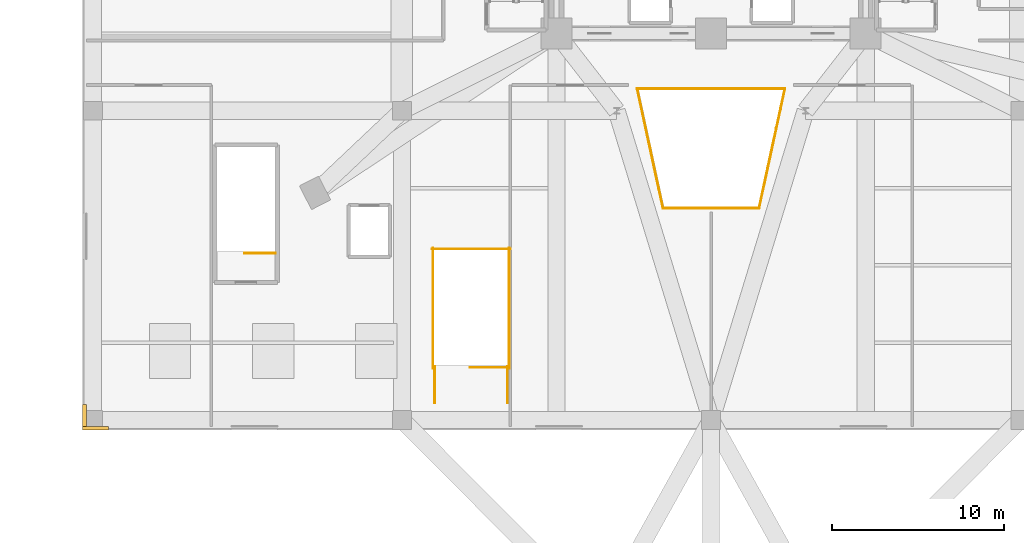
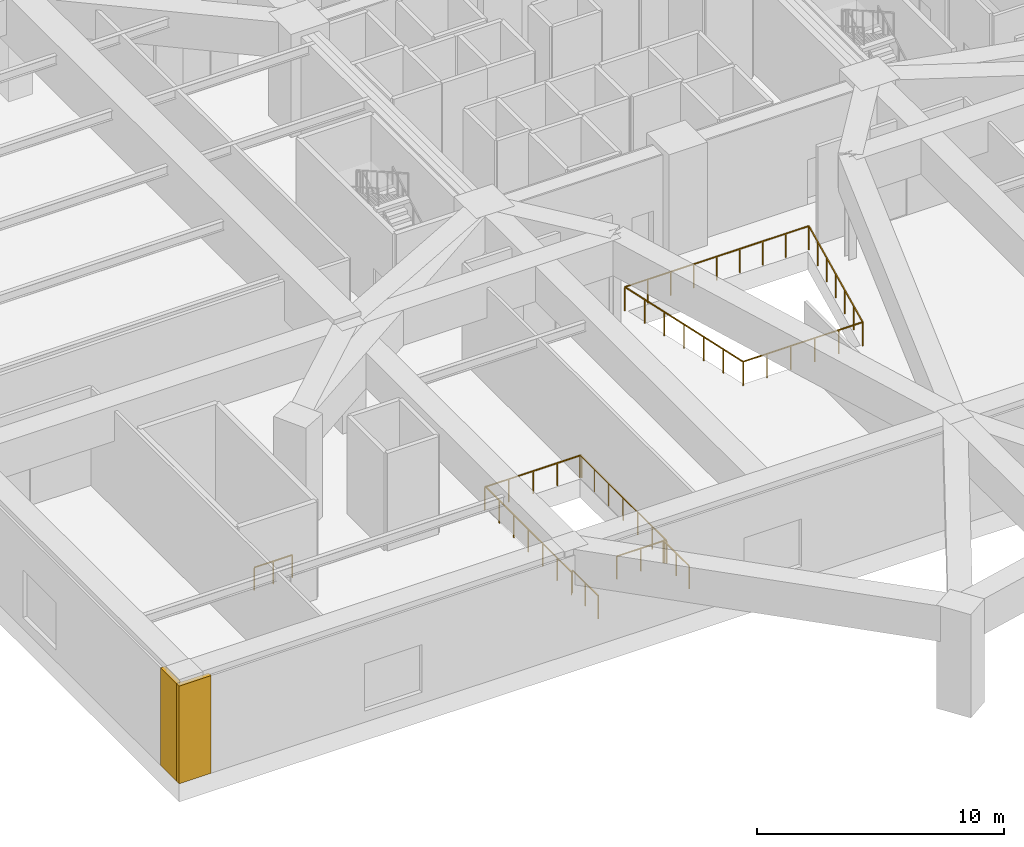
# One storey, part 10 of 14: 11 railings, 2 coverings.
"""IFC4 building model written with IfcOpenShell, lengths in metres."""

from ifc_helpers import new_model, si_unit, direction, frame, origin, origin_2d, place, context, subcontext, project, spatial, rectangle, extrude, source, transform, mapped, material, layer, layer_set, type_object, element, save


model = new_model("IFC4")

# Units and contexts
model_context = context("Model", 3, precision=1e-05, world=origin(), true_north=direction((0.0, 1.0)))
body_context = subcontext(model_context, "Body", "Model", "MODEL_VIEW")
ifc_project = project(units=[si_unit("LENGTHUNIT", "METRE"), si_unit("AREAUNIT", "SQUARE_METRE"), si_unit("VOLUMEUNIT", "CUBIC_METRE"), si_unit("PLANEANGLEUNIT", "RADIAN"), si_unit("MASSUNIT", "GRAM", prefix="KILO")], contexts=[model_context])

# Site, building, storey
site_placement = place(None, origin())
site = spatial("IfcSite", under=ifc_project, at=site_placement, CompositionType="ELEMENT")
building_placement = place(site_placement, origin())
building = spatial("IfcBuilding", under=site, at=building_placement, Name="Liaohun Quay Tower", CompositionType="ELEMENT")
storey_placement = place(building_placement, frame((0.0, 0.0, 23.39990234375)))
storey = spatial("IfcBuildingStorey", under=building, at=storey_placement, Name="L06", CompositionType="ELEMENT", Elevation=23.39990234375)

# Railings
ifc_material_1 = material(Name="Laminated safety glass and stainless steel", Category="steel")
railing_type_1 = type_object("IfcRailingType", Name="RLG-GUARD-ATR", PredefinedType="BALUSTRADE", material=ifc_material_1)
railing_1_placement = place(storey_placement, frame((48.199951171875, 27.050048828125, 0.0)))
element("IfcRailing", 1, at=railing_1_placement, inside=storey, type_object=railing_type_1, Name="L06 ST-A top well guard 1", PredefinedType="BALUSTRADE", context=body_context, shape_type="SweptSolid", body=[
    extrude(rectangle(XDim=0.048095703125, YDim=0.048095703125, at=origin_2d()), frame((0.0, 0.0, 1.1259765625), z_axis=(-1.0, 0.0, 0.0), x_axis=(0.0, -1.0, 0.0)), (0.0, 0.0, 1.0), 2.239990234375),
    extrude(rectangle(XDim=0.0419921875, YDim=0.0419921875, at=origin_2d()), origin(), (0.0, 0.0, 1.0), 1.101806640625),
    extrude(rectangle(XDim=0.0419921875, YDim=0.0419921875, at=origin_2d()), frame((-1.1201171875, 0.0, 0.0)), (0.0, 0.0, 1.0), 1.101806640625),
    extrude(rectangle(XDim=0.0419921875, YDim=0.0419921875, at=origin_2d()), frame((-2.239990234375, 0.0, 0.0)), (0.0, 0.0, 1.0), 1.101806640625),
])
for number, where, name in (
    (2, (48.25, 27.0, 0.0), "L06 ST-A top well guard 2"),
    (3, (43.81005859375, 27.0, 0.0), "L06 ST-A top well guard 3"),
):
    element("IfcRailing", number, at=place(storey_placement, frame(where)), inside=storey, type_object=railing_type_1, Name=name, PredefinedType="BALUSTRADE", context=body_context, shape_type="SweptSolid", body=[
        extrude(rectangle(XDim=0.048095703125, YDim=0.048095703125, at=origin_2d()), frame((0.0, 0.0, 1.1259765625), z_axis=(0.0, 1.0, 0.0), x_axis=(-1.0, 0.0, 0.0)), (0.0, 0.0, 1.0), 7.0),
        extrude(rectangle(XDim=0.0419921875, YDim=0.0419921875, at=origin_2d()), origin(), (0.0, 0.0, 1.0), 1.101806640625),
        extrude(rectangle(XDim=0.0419921875, YDim=0.0419921875, at=origin_2d()), frame((0.0, 1.166748046875, 0.0)), (0.0, 0.0, 1.0), 1.101806640625),
        extrude(rectangle(XDim=0.0419921875, YDim=0.0419921875, at=origin_2d()), frame((0.0, 2.333251953125, 0.0)), (0.0, 0.0, 1.0), 1.101806640625),
        extrude(rectangle(XDim=0.0419921875, YDim=0.0419921875, at=origin_2d()), frame((0.0, 3.5, 0.0)), (0.0, 0.0, 1.0), 1.101806640625),
        extrude(rectangle(XDim=0.0419921875, YDim=0.0419921875, at=origin_2d()), frame((0.0, 4.666748046875, 0.0)), (0.0, 0.0, 1.0), 1.101806640625),
        extrude(rectangle(XDim=0.0419921875, YDim=0.0419921875, at=origin_2d()), frame((0.0, 5.833251953125, 0.0)), (0.0, 0.0, 1.0), 1.101806640625),
        extrude(rectangle(XDim=0.0419921875, YDim=0.0419921875, at=origin_2d()), frame((0.0, 7.0, 0.0)), (0.0, 0.0, 1.0), 1.101806640625),
    ])
railing_2_placement = place(storey_placement, frame((48.300048828125, 33.949951171875, 0.0)))
element("IfcRailing", 4, at=railing_2_placement, inside=storey, type_object=railing_type_1, Name="L06 ST-A top well guard 4", PredefinedType="BALUSTRADE", context=body_context, shape_type="SweptSolid", body=[
    extrude(rectangle(XDim=0.048095703125, YDim=0.048095703125, at=origin_2d()), frame((0.0, 0.0, 1.1259765625), z_axis=(-1.0, 0.0, 0.0), x_axis=(0.0, -1.0, 0.0)), (0.0, 0.0, 1.0), 4.5400390625),
    extrude(rectangle(XDim=0.0419921875, YDim=0.0419921875, at=origin_2d()), origin(), (0.0, 0.0, 1.0), 1.101806640625),
    extrude(rectangle(XDim=0.0419921875, YDim=0.0419921875, at=origin_2d()), frame((-1.135009765625, 0.0, 0.0)), (0.0, 0.0, 1.0), 1.101806640625),
    extrude(rectangle(XDim=0.0419921875, YDim=0.0419921875, at=origin_2d()), frame((-2.27001953125, 0.0, 0.0)), (0.0, 0.0, 1.0), 1.101806640625),
    extrude(rectangle(XDim=0.0419921875, YDim=0.0419921875, at=origin_2d()), frame((-3.405029296875, 0.0, 0.0)), (0.0, 0.0, 1.0), 1.101806640625),
    extrude(rectangle(XDim=0.0419921875, YDim=0.0419921875, at=origin_2d()), frame((-4.5400390625, 0.0, 0.0)), (0.0, 0.0, 1.0), 1.101806640625),
])
for number, where, name in (
    (5, (48.14990234375, 25.0, 0.0), "L06 ST-A top well guard 5"),
    (6, (43.909912109375, 25.0, 0.0), "L06 ST-A top well guard 6"),
):
    element("IfcRailing", number, at=place(storey_placement, frame(where)), inside=storey, type_object=railing_type_1, Name=name, PredefinedType="BALUSTRADE", context=body_context, shape_type="SweptSolid", body=[
        extrude(rectangle(XDim=0.048095703125, YDim=0.048095703125, at=origin_2d()), frame((0.0, 0.0, 1.1259765625), z_axis=(0.0, 1.0, 0.0), x_axis=(-1.0, 0.0, 0.0)), (0.0, 0.0, 1.0), 2.10009765625),
        extrude(rectangle(XDim=0.0419921875, YDim=0.0419921875, at=origin_2d()), origin(), (0.0, 0.0, 1.0), 1.101806640625),
        extrude(rectangle(XDim=0.0419921875, YDim=0.0419921875, at=origin_2d()), frame((0.0, 1.050048828125, 0.0)), (0.0, 0.0, 1.0), 1.101806640625),
        extrude(rectangle(XDim=0.0419921875, YDim=0.0419921875, at=origin_2d()), frame((0.0, 2.10009765625, 0.0)), (0.0, 0.0, 1.0), 1.101806640625),
    ])
railing_3_placement = place(storey_placement, frame((57.205078125, 36.320068359375, 0.0)))
element("IfcRailing", 7, at=railing_3_placement, inside=storey, type_object=railing_type_1, Name="L06 Atrium Edge Balustrade 1", PredefinedType="BALUSTRADE", context=body_context, shape_type="SweptSolid", body=[
    extrude(rectangle(XDim=0.048095703125, YDim=0.048095703125, at=origin_2d()), frame((0.0, 0.0, 1.17578125), z_axis=(-0.211238067479, 0.977434641727, 0.0), x_axis=(-0.977434641727, -0.211238067479, 0.0)), (0.0, 0.0, 1.0), 7.12060546875),
    extrude(rectangle(XDim=0.0419921875, YDim=0.0419921875, at=origin_2d()), origin(), (0.0, 0.0, 1.0), 1.15185546875),
    extrude(rectangle(XDim=0.0419921875, YDim=0.0419921875, at=origin_2d()), frame((-0.250732421875, 1.159912109375, 0.0)), (0.0, 0.0, 1.0), 1.15185546875),
    extrude(rectangle(XDim=0.0419921875, YDim=0.0419921875, at=origin_2d()), frame((-0.50146484375, 2.320068359375, 0.0)), (0.0, 0.0, 1.0), 1.15185546875),
    extrude(rectangle(XDim=0.0419921875, YDim=0.0419921875, at=origin_2d()), frame((-0.751953125, 3.47998046875, 0.0)), (0.0, 0.0, 1.0), 1.15185546875),
    extrude(rectangle(XDim=0.0419921875, YDim=0.0419921875, at=origin_2d()), frame((-1.002685546875, 4.639892578125, 0.0)), (0.0, 0.0, 1.0), 1.15185546875),
    extrude(rectangle(XDim=0.0419921875, YDim=0.0419921875, at=origin_2d()), frame((-1.25341796875, 5.800048828125, 0.0)), (0.0, 0.0, 1.0), 1.15185546875),
    extrude(rectangle(XDim=0.0419921875, YDim=0.0419921875, at=origin_2d()), frame((-1.504150390625, 6.9599609375, 0.0)), (0.0, 0.0, 1.0), 1.15185546875),
])
railing_4_placement = place(storey_placement, frame((55.700927734375, 43.280029296875, 0.0)))
element("IfcRailing", 8, at=railing_4_placement, inside=storey, type_object=railing_type_1, Name="L06 Atrium Edge Balustrade 2", PredefinedType="BALUSTRADE", context=body_context, shape_type="SweptSolid", body=[
    extrude(rectangle(XDim=0.048095703125, YDim=0.048095703125, at=origin_2d()), frame((0.0, 0.0, 1.17578125), z_axis=(1.0, 0.0, 0.0), x_axis=(0.0, 1.0, 0.0)), (0.0, 0.0, 1.0), 8.59814453125),
    extrude(rectangle(XDim=0.0419921875, YDim=0.0419921875, at=origin_2d()), origin(), (0.0, 0.0, 1.0), 1.15185546875),
    extrude(rectangle(XDim=0.0419921875, YDim=0.0419921875, at=origin_2d()), frame((1.07470703125, 0.0, 0.0)), (0.0, 0.0, 1.0), 1.15185546875),
    extrude(rectangle(XDim=0.0419921875, YDim=0.0419921875, at=origin_2d()), frame((2.1494140625, 0.0, 0.0)), (0.0, 0.0, 1.0), 1.15185546875),
    extrude(rectangle(XDim=0.0419921875, YDim=0.0419921875, at=origin_2d()), frame((3.224365234375, 0.0, 0.0)), (0.0, 0.0, 1.0), 1.15185546875),
    extrude(rectangle(XDim=0.0419921875, YDim=0.0419921875, at=origin_2d()), frame((4.299072265625, 0.0, 0.0)), (0.0, 0.0, 1.0), 1.15185546875),
    extrude(rectangle(XDim=0.0419921875, YDim=0.0419921875, at=origin_2d()), frame((5.373779296875, 0.0, 0.0)), (0.0, 0.0, 1.0), 1.15185546875),
    extrude(rectangle(XDim=0.0419921875, YDim=0.0419921875, at=origin_2d()), frame((6.44873046875, 0.0, 0.0)), (0.0, 0.0, 1.0), 1.15185546875),
    extrude(rectangle(XDim=0.0419921875, YDim=0.0419921875, at=origin_2d()), frame((7.5234375, 0.0, 0.0)), (0.0, 0.0, 1.0), 1.15185546875),
    extrude(rectangle(XDim=0.0419921875, YDim=0.0419921875, at=origin_2d()), frame((8.59814453125, 0.0, 0.0)), (0.0, 0.0, 1.0), 1.15185546875),
])
railing_5_placement = place(storey_placement, frame((64.299072265625, 43.280029296875, 0.0)))
element("IfcRailing", 9, at=railing_5_placement, inside=storey, type_object=railing_type_1, Name="L06 Atrium Edge Balustrade 3", PredefinedType="BALUSTRADE", context=body_context, shape_type="SweptSolid", body=[
    extrude(rectangle(XDim=0.048095703125, YDim=0.048095703125, at=origin_2d()), frame((0.0, 0.0, 1.17578125), z_axis=(-0.211238067479, -0.977434641727, 0.0), x_axis=(0.977434641727, -0.211238067479, 0.0)), (0.0, 0.0, 1.0), 7.12060546875),
    extrude(rectangle(XDim=0.0419921875, YDim=0.0419921875, at=origin_2d()), origin(), (0.0, 0.0, 1.0), 1.15185546875),
    extrude(rectangle(XDim=0.0419921875, YDim=0.0419921875, at=origin_2d()), frame((-0.250732421875, -1.159912109375, 0.0)), (0.0, 0.0, 1.0), 1.15185546875),
    extrude(rectangle(XDim=0.0419921875, YDim=0.0419921875, at=origin_2d()), frame((-0.50146484375, -2.320068359375, 0.0)), (0.0, 0.0, 1.0), 1.15185546875),
    extrude(rectangle(XDim=0.0419921875, YDim=0.0419921875, at=origin_2d()), frame((-0.751953125, -3.47998046875, 0.0)), (0.0, 0.0, 1.0), 1.15185546875),
    extrude(rectangle(XDim=0.0419921875, YDim=0.0419921875, at=origin_2d()), frame((-1.002685546875, -4.639892578125, 0.0)), (0.0, 0.0, 1.0), 1.15185546875),
    extrude(rectangle(XDim=0.0419921875, YDim=0.0419921875, at=origin_2d()), frame((-1.25341796875, -5.800048828125, 0.0)), (0.0, 0.0, 1.0), 1.15185546875),
    extrude(rectangle(XDim=0.0419921875, YDim=0.0419921875, at=origin_2d()), frame((-1.504150390625, -6.9599609375, 0.0)), (0.0, 0.0, 1.0), 1.15185546875),
])
railing_6_placement = place(storey_placement, frame((62.794921875, 36.320068359375, 0.0)))
element("IfcRailing", 10, at=railing_6_placement, inside=storey, type_object=railing_type_1, Name="L06 Atrium Edge Balustrade 4", PredefinedType="BALUSTRADE", context=body_context, shape_type="SweptSolid", body=[
    extrude(rectangle(XDim=0.048095703125, YDim=0.048095703125, at=origin_2d()), frame((0.0, 0.0, 1.17578125), z_axis=(-1.0, 0.0, 0.0), x_axis=(0.0, -1.0, 0.0)), (0.0, 0.0, 1.0), 5.58984375),
    extrude(rectangle(XDim=0.0419921875, YDim=0.0419921875, at=origin_2d()), origin(), (0.0, 0.0, 1.0), 1.15185546875),
    extrude(rectangle(XDim=0.0419921875, YDim=0.0419921875, at=origin_2d()), frame((-1.117919921875, 0.0, 0.0)), (0.0, 0.0, 1.0), 1.15185546875),
    extrude(rectangle(XDim=0.0419921875, YDim=0.0419921875, at=origin_2d()), frame((-2.23583984375, 0.0, 0.0)), (0.0, 0.0, 1.0), 1.15185546875),
    extrude(rectangle(XDim=0.0419921875, YDim=0.0419921875, at=origin_2d()), frame((-3.35400390625, 0.0, 0.0)), (0.0, 0.0, 1.0), 1.15185546875),
    extrude(rectangle(XDim=0.0419921875, YDim=0.0419921875, at=origin_2d()), frame((-4.471923828125, 0.0, 0.0)), (0.0, 0.0, 1.0), 1.15185546875),
    extrude(rectangle(XDim=0.0419921875, YDim=0.0419921875, at=origin_2d()), frame((-5.58984375, 0.0, 0.0)), (0.0, 0.0, 1.0), 1.15185546875),
])
ifc_material_2 = material(Name="Painted tubular steel", Category="steel")
railing_type_2 = type_object("IfcRailingType", Name="RLG-GUARD-STR", PredefinedType="GUARDRAIL", material=ifc_material_2)
railing_7_placement = place(storey_placement, frame((34.639892578125, 33.699951171875, 0.0)))
element("IfcRailing", 11, at=railing_7_placement, inside=storey, type_object=railing_type_2, Name="L06 ST-P1 top well guard 1", PredefinedType="GUARDRAIL", context=body_context, shape_type="SweptSolid", body=[
    extrude(rectangle(XDim=0.048095703125, YDim=0.048095703125, at=origin_2d()), frame((0.0, 0.0, 1.1259765625), z_axis=(-1.0, 0.0, 0.0), x_axis=(0.0, -1.0, 0.0)), (0.0, 0.0, 1.0), 1.789794921875),
    extrude(rectangle(XDim=0.0419921875, YDim=0.0419921875, at=origin_2d()), origin(), (0.0, 0.0, 1.0), 1.101806640625),
    extrude(rectangle(XDim=0.0419921875, YDim=0.0419921875, at=origin_2d()), frame((-0.89501953125, 0.0, 0.0)), (0.0, 0.0, 1.0), 1.101806640625),
    extrude(rectangle(XDim=0.0419921875, YDim=0.0419921875, at=origin_2d()), frame((-1.789794921875, 0.0, 0.0)), (0.0, 0.0, 1.0), 1.101806640625),
])

# Coverings
ifc_material_3 = material(Name="Bush-hammered Liaodong grey granite stone cladding", Category="masonry")
ifc_layer = layer(ifc_material_3, 0.0400390625, Name="Bush-hammered Liaodong grey granite stone cladding", Category="masonry")
ifc_layer_set = layer_set([ifc_layer], Name="Bush-hammered Liaodong grey granite stone cladding")
covering_type = type_object("IfcCoveringType", Name="COV-EXT-CLD", PredefinedType="CLADDING", material=ifc_layer_set)
shared_shape_1 = source(origin(), body_context, "Body", "SweptSolid", [
    extrude(rectangle(XDim=1.5, YDim=0.219970703125, at=origin_2d()), origin(), (0.0, 0.0, 1.0), 4.820068359375),
])
covering_1_placement = place(storey_placement, frame((24.14990234375, 23.510009765625, 0.0), z_axis=(0.0, 0.0, 1.0), x_axis=(1.0, 0.0, 0.0)))
element("IfcCovering", 12, at=covering_1_placement, inside=storey, type_object=covering_type, Name="L06 Corner Granite Pier Cladding SW-X", PredefinedType="CLADDING", context=body_context, shape_type="MappedRepresentation", body=[
    mapped(shared_shape_1, transform((0.0, 0.0, 0.0), x_axis=(1.0, 0.0, 0.0), y_axis=(0.0, 1.0, 0.0), z_axis=(0.0, 0.0, 1.0), scale=1.0)),
])
shared_shape_2 = source(origin(), body_context, "Body", "SweptSolid", [
    extrude(rectangle(XDim=0.219970703125, YDim=1.280029296875, at=origin_2d()), origin(), (0.0, 0.0, 1.0), 4.820068359375),
])
covering_2_placement = place(storey_placement, frame((23.510009765625, 24.260009765625, 0.0), z_axis=(0.0, 0.0, 1.0), x_axis=(1.0, 0.0, 0.0)))
element("IfcCovering", 13, at=covering_2_placement, inside=storey, type_object=covering_type, Name="L06 Corner Granite Pier Cladding SW-Y", PredefinedType="CLADDING", context=body_context, shape_type="MappedRepresentation", body=[
    mapped(shared_shape_2, transform((0.0, 0.0, 0.0), x_axis=(1.0, 0.0, 0.0), y_axis=(0.0, 1.0, 0.0), z_axis=(0.0, 0.0, 1.0), scale=1.0)),
])

save(model, "model.ifc")
